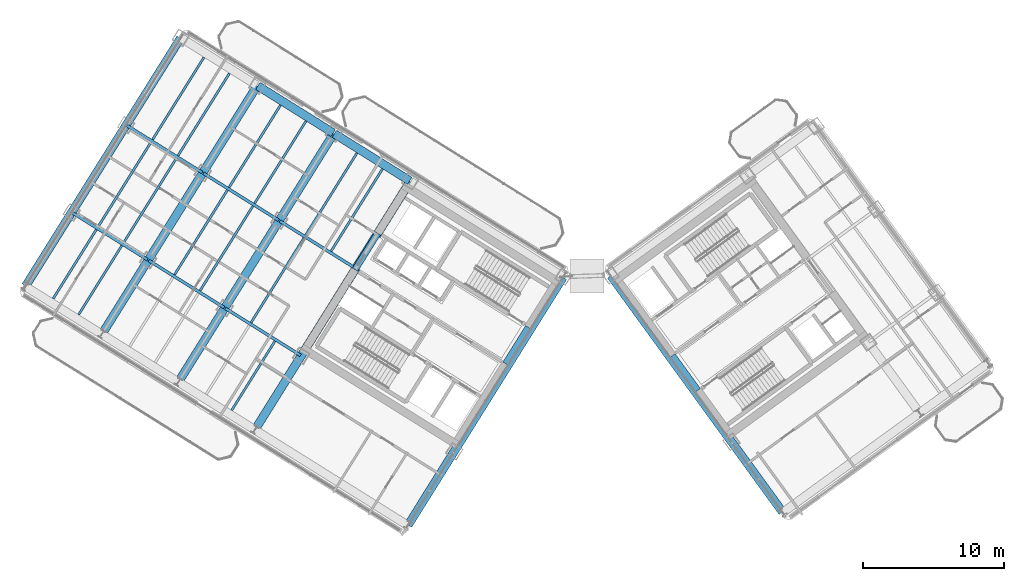
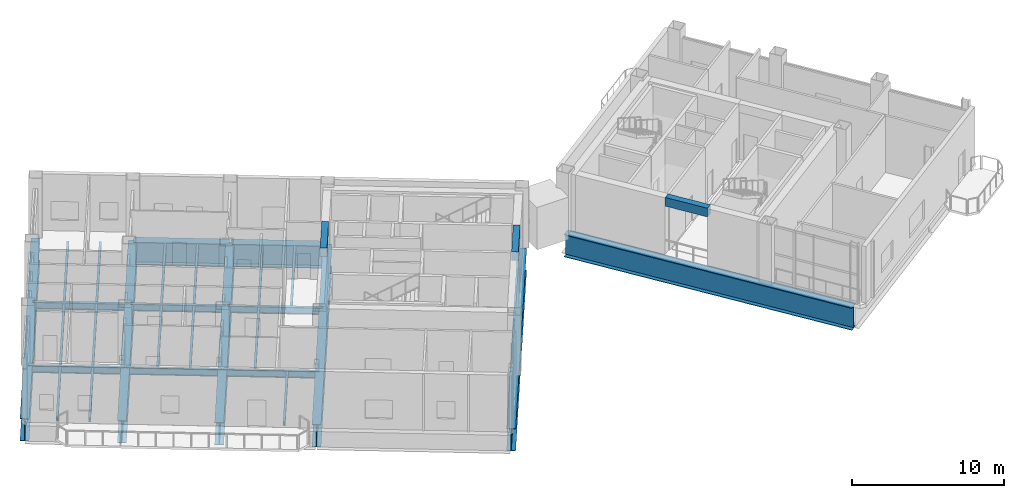
# One storey, part 7 of 22: 31 beams.
"""IFC4 building model written with IfcOpenShell, lengths in metres."""

from ifc_helpers import new_model, si_unit, direction, frame, origin, origin_2d, place, context, subcontext, project, spatial, rectangle, i_section, extrude, source, transform, mapped, material, material_profile, profile_set, type_object, element, save


model = new_model("IFC4")

# Units and contexts
model_context = context("Model", 3, precision=1e-05, world=origin(), true_north=direction((0.0, 1.0)))
body_context = subcontext(model_context, "Body", "Model", "MODEL_VIEW")
ifc_project = project(units=[si_unit("LENGTHUNIT", "METRE"), si_unit("AREAUNIT", "SQUARE_METRE"), si_unit("VOLUMEUNIT", "CUBIC_METRE"), si_unit("PLANEANGLEUNIT", "RADIAN"), si_unit("MASSUNIT", "GRAM", prefix="KILO")], contexts=[model_context])

# Site, building, storey
site_placement = place(None, origin())
site = spatial("IfcSite", under=ifc_project, at=site_placement, CompositionType="ELEMENT")
building_placement = place(site_placement, origin())
building = spatial("IfcBuilding", under=site, at=building_placement, Name="Tlacorven Tower", CompositionType="ELEMENT")
storey_placement = place(building_placement, frame((0.0, 0.0, 127.800048828125)))
storey = spatial("IfcBuildingStorey", under=building, at=storey_placement, Name="L32", CompositionType="ELEMENT", Elevation=127.800048828125)

# Beams
ifc_material_1 = material(Name="Concrete C60/75", Category="concrete")
ifc_material_profile_1 = material_profile(ifc_material_1, rectangle(XDim=0.449951171875, YDim=0.699951171875, at=origin_2d()), Name="RC 450X700")
ifc_profile_set_1 = profile_set([ifc_material_profile_1], Name="Concrete C60/75")
beam_type_1 = type_object("IfcBeamType", Name="BM-LNT-700", PredefinedType="LINTEL", material=ifc_profile_set_1)
shared_shape_1 = source(origin(), body_context, "Body", "SweptSolid", [
    extrude(rectangle(XDim=0.449951171875, YDim=0.699951171875, at=origin_2d()), origin(), (0.0, 0.0, 1.0), 3.050048828125),
])
for number, where, z_axis, x_axis, name in (
    (1, (38.2998046875, 20.890625, 4.199951171875), (-0.529984549635, -0.848007297815, 0.0), (0.848007297815, -0.529984549635, 0.0), "L32 W core coupling lintel beam E1"),
    (2, (50.318359375, 16.416015625, 4.199951171875), (-0.587776590479, 0.80902328748, 0.0), (-0.80902328748, -0.587776590479, 0.0), "L32 E core coupling lintel beam E1"),
):
    element("IfcBeam", number, at=place(storey_placement, frame(where, z_axis=z_axis, x_axis=x_axis)), inside=storey, type_object=beam_type_1, Name=name, PredefinedType="LINTEL", context=body_context, shape_type="MappedRepresentation", body=[
        mapped(shared_shape_1, transform((0.0, 0.0, 0.0), scale=1.0)),
    ])
shared_shape_2 = source(origin(), body_context, "Body", "SweptSolid", [
    extrude(rectangle(XDim=0.449951171875, YDim=0.699951171875, at=origin_2d()), origin(), (0.0, 0.0, 1.0), 3.0498046875),
])
beam_1_placement = place(storey_placement, frame((27.622802734375, 27.562255859375, 4.199951171875), z_axis=(-0.529926983584, -0.848043272522, 0.0), x_axis=(0.848043272522, -0.529926983584, 0.0)))
element("IfcBeam", 3, at=beam_1_placement, inside=storey, type_object=beam_type_1, Name="L32 W core coupling lintel beam E2", PredefinedType="LINTEL", context=body_context, shape_type="MappedRepresentation", body=[
    mapped(shared_shape_2, transform((0.0, 0.0, 0.0), scale=1.0)),
])
ifc_material_2 = material(Name="Steel S460M", Category="steel")
ifc_material_profile_2 = material_profile(ifc_material_2, i_section(OverallWidth=0.60009765625, OverallDepth=1.800048828125, WebThickness=0.028076171875, FlangeThickness=0.0400390625, at=origin_2d()), Name="PG 1800X600X28X40")
ifc_profile_set_2 = profile_set([ifc_material_profile_2], Name="Steel S460M")
beam_type_2 = type_object("IfcBeamType", Name="BM-TRG-1800", PredefinedType="USERDEFINED", material=ifc_profile_set_2)
shared_shape_3 = source(origin(), body_context, "Body", "SweptSolid", [
    extrude(i_section(OverallWidth=0.60009765625, OverallDepth=1.800048828125, WebThickness=0.028076171875, FlangeThickness=0.0400390625, at=origin_2d()), origin(), (0.0, 0.0, 1.0), 20.72021484375),
])
for number, where, z_axis, x_axis, name in (
    (4, (40.76171875, 24.4345703125, -1.179931640625), (-0.529916326015, -0.848049932152, 0.0), (0.848049932152, -0.529916326015, 0.0), "L32 beam BM-L32-WT1-1"),
    (5, (56.326171875, 7.789794921875, -1.179931640625), (-0.587784199495, 0.809017759276, 0.0), (-0.809017759276, -0.587784199495, 0.0), "L32 beam BM-L32-ET1-1"),
):
    element("IfcBeam", number, at=place(storey_placement, frame(where, z_axis=z_axis, x_axis=x_axis)), inside=storey, type_object=beam_type_2, Name=name, ObjectType="TRANSFER GIRDER", PredefinedType="USERDEFINED", context=body_context, shape_type="MappedRepresentation", body=[
        mapped(shared_shape_3, transform((0.0, 0.0, 0.0), scale=1.0)),
    ])
shared_shape_4 = source(origin(), body_context, "Body", "SweptSolid", [
    extrude(i_section(OverallWidth=0.60009765625, OverallDepth=1.800048828125, WebThickness=0.028076171875, FlangeThickness=0.0400390625, at=origin_2d()), origin(), (0.0, 0.0, 1.0), 20.719970703125),
])
for number, where, z_axis, x_axis, name in (
    (6, (29.90673828125, 31.217529296875, -1.179931640625), (-0.529921621162, -0.84804662338, 0.0), (0.84804662338, -0.529921621162, 0.0), "L32 beam BM-L32-WT3-1"),
    (7, (24.479248046875, 34.60888671875, -1.179931640625), (-0.529921621162, -0.84804662338, 0.0), (0.84804662338, -0.529921621162, 0.0), "L32 beam BM-L32-WT4-1"),
    (8, (19.0517578125, 38.00048828125, -1.179931640625), (-0.529921621162, -0.84804662338, 0.0), (0.84804662338, -0.529921621162, 0.0), "L32 beam BM-L32-WT5-1"),
    (9, (13.624267578125, 41.391845703125, -1.179931640625), (-0.529921621162, -0.84804662338, 0.0), (0.84804662338, -0.529921621162, 0.0), "L32 beam BM-L32-WT6-1"),
):
    element("IfcBeam", number, at=place(storey_placement, frame(where, z_axis=z_axis, x_axis=x_axis)), inside=storey, type_object=beam_type_2, Name=name, ObjectType="TRANSFER GIRDER", PredefinedType="USERDEFINED", context=body_context, shape_type="MappedRepresentation", body=[
        mapped(shared_shape_4, transform((0.0, 0.0, 0.0), scale=1.0)),
    ])
shared_shape_5 = source(origin(), body_context, "Body", "SweptSolid", [
    extrude(i_section(OverallWidth=0.60009765625, OverallDepth=1.800048828125, WebThickness=0.028076171875, FlangeThickness=0.0400390625, at=origin_2d()), origin(), (0.0, 0.0, 1.0), 6.300048828125),
])
for number, where, z_axis, x_axis, name in (
    (10, (29.885498046875, 31.27783203125, -1.179931640625), (-0.848041842361, 0.529929272267, 0.0), (-0.529929272267, -0.848041842361, 0.0), "L32 beam BM-L32-WL1-3"),
    (11, (24.4580078125, 34.66943359375, -1.179931640625), (-0.848059257352, 0.529901402168, 0.0), (-0.529901402168, -0.848059257352, 0.0), "L32 beam BM-L32-WL1-4"),
):
    element("IfcBeam", number, at=place(storey_placement, frame(where, z_axis=z_axis, x_axis=x_axis)), inside=storey, type_object=beam_type_2, Name=name, ObjectType="TRANSFER GIRDER", PredefinedType="USERDEFINED", context=body_context, shape_type="MappedRepresentation", body=[
        mapped(shared_shape_5, transform((0.0, 0.0, 0.0), scale=1.0)),
    ])
ifc_material_3 = material(Name="Steel S355J2", Category="steel")
ifc_material_profile_3 = material_profile(ifc_material_3, i_section(OverallWidth=0.159912109375, OverallDepth=0.330078125, WebThickness=0.007568359375, FlangeThickness=0.011474609375, at=origin_2d()), Name="IPE 330")
ifc_profile_set_3 = profile_set([ifc_material_profile_3], Name="Steel S355J2")
beam_type_3 = type_object("IfcBeamType", Name="BM-JST-330", PredefinedType="JOIST", material=ifc_profile_set_3)
shared_shape_6 = source(origin(), body_context, "Body", "SweptSolid", [
    extrude(i_section(OverallWidth=0.159912109375, OverallDepth=0.330078125, WebThickness=0.007568359375, FlangeThickness=0.011474609375, at=origin_2d()), origin(), (0.0, 0.0, 1.0), 7.080078125),
])
beam_2_placement = place(storey_placement, frame((18.7646484375, 29.4892578125, -0.445068359375), z_axis=(-0.529933847046, -0.848038983629, 0.0), x_axis=(0.848038983629, -0.529933847046, 0.0)))
element("IfcBeam", 12, at=beam_2_placement, inside=storey, type_object=beam_type_3, Name="L32 beam BM-L32-WJ4-2-1", PredefinedType="JOIST", context=body_context, shape_type="MappedRepresentation", body=[
    mapped(shared_shape_6, transform((0.0, 0.0, 0.0), scale=1.0)),
])
shared_shape_7 = source(origin(), body_context, "Body", "SweptSolid", [
    extrude(i_section(OverallWidth=0.159912109375, OverallDepth=0.330078125, WebThickness=0.007568359375, FlangeThickness=0.011474609375, at=origin_2d()), origin(), (0.0, 0.0, 1.0), 7.079833984375),
])
for number, where, z_axis, x_axis, name in (
    (13, (22.3828125, 27.228271484375, -0.445068359375), (-0.529909047265, -0.848054480341, 0.0), (0.848054480341, -0.529909047265, 0.0), "L32 beam BM-L32-WJ3-2-2"),
    (14, (16.955322265625, 30.619873046875, -0.445068359375), (-0.529909047265, -0.848054480341, 0.0), (0.848054480341, -0.529909047265, 0.0), "L32 beam BM-L32-WJ4-2-2"),
    (15, (11.52783203125, 34.01123046875, -0.445068359375), (-0.529909047265, -0.848054480341, 0.0), (0.848054480341, -0.529909047265, 0.0), "L32 beam BM-L32-WJ5-2-2"),
):
    element("IfcBeam", number, at=place(storey_placement, frame(where, z_axis=z_axis, x_axis=x_axis)), inside=storey, type_object=beam_type_3, Name=name, PredefinedType="JOIST", context=body_context, shape_type="MappedRepresentation", body=[
        mapped(shared_shape_7, transform((0.0, 0.0, 0.0), scale=1.0)),
    ])
ifc_material_profile_4 = material_profile(ifc_material_3, i_section(OverallWidth=0.2099609375, OverallDepth=0.550048828125, WebThickness=0.010986328125, FlangeThickness=0.01708984375, at=origin_2d()), Name="IPE 550")
ifc_profile_set_4 = profile_set([ifc_material_profile_4], Name="Steel S355J2")
beam_type_4 = type_object("IfcBeamType", Name="BM-TWR-550", PredefinedType="BEAM", material=ifc_profile_set_4)
shared_shape_8 = source(origin(), body_context, "Body", "SweptSolid", [
    extrude(i_section(OverallWidth=0.2099609375, OverallDepth=0.550048828125, WebThickness=0.010986328125, FlangeThickness=0.01708984375, at=origin_2d()), origin(), (0.0, 0.0, 1.0), 6.300048828125),
])
for number, where, z_axis, x_axis, name in (
    (16, (26.01708984375, 25.087158203125, -0.554931640625), (-0.848059257352, 0.529901402168, 0.0), (-0.529901402168, -0.848059257352, 0.0), "L32 beam BM-L32-WL2-3"),
    (17, (20.589599609375, 28.478515625, -0.554931640625), (-0.848041842361, 0.529929272267, 0.0), (-0.529929272267, -0.848041842361, 0.0), "L32 beam BM-L32-WL2-4"),
    (18, (15.162109375, 31.8701171875, -0.554931640625), (-0.848059257352, 0.529901402168, 0.0), (-0.529901402168, -0.848059257352, 0.0), "L32 beam BM-L32-WL2-5"),
    (19, (22.148681640625, 18.896240234375, -0.554931640625), (-0.848041842361, 0.529929272267, 0.0), (-0.529929272267, -0.848041842361, 0.0), "L32 beam BM-L32-WL3-3"),
    (20, (16.72119140625, 22.287841796875, -0.554931640625), (-0.848059257352, 0.529901402168, 0.0), (-0.529901402168, -0.848059257352, 0.0), "L32 beam BM-L32-WL3-4"),
    (21, (11.293701171875, 25.67919921875, -0.554931640625), (-0.848041842361, 0.529929272267, 0.0), (-0.529929272267, -0.848041842361, 0.0), "L32 beam BM-L32-WL3-5"),
):
    element("IfcBeam", number, at=place(storey_placement, frame(where, z_axis=z_axis, x_axis=x_axis)), inside=storey, type_object=beam_type_4, Name=name, PredefinedType="BEAM", context=body_context, shape_type="MappedRepresentation", body=[
        mapped(shared_shape_8, transform((0.0, 0.0, 0.0), scale=1.0)),
    ])
shared_shape_9 = source(origin(), body_context, "Body", "SweptSolid", [
    extrude(i_section(OverallWidth=0.159912109375, OverallDepth=0.330078125, WebThickness=0.007568359375, FlangeThickness=0.011474609375, at=origin_2d()), origin(), (0.0, 0.0, 1.0), 6.88525390625),
])
for number, where, z_axis, x_axis, name in (
    (22, (27.957275390625, 32.123291015625, -0.445068359375), (-0.529935191936, -0.848038143215, 0.0), (0.848038143215, -0.529935191936, 0.0), "L32 beam BM-L32-WJ3-1-1"),
    (23, (22.52978515625, 35.5146484375, -0.445068359375), (-0.529935191936, -0.848038143215, 0.0), (0.848038143215, -0.529935191936, 0.0), "L32 beam BM-L32-WJ4-1-1"),
):
    element("IfcBeam", number, at=place(storey_placement, frame(where, z_axis=z_axis, x_axis=x_axis)), inside=storey, type_object=beam_type_3, Name=name, PredefinedType="JOIST", context=body_context, shape_type="MappedRepresentation", body=[
        mapped(shared_shape_9, transform((0.0, 0.0, 0.0), scale=1.0)),
    ])
shared_shape_10 = source(origin(), body_context, "Body", "SweptSolid", [
    extrude(i_section(OverallWidth=0.159912109375, OverallDepth=0.330078125, WebThickness=0.007568359375, FlangeThickness=0.011474609375, at=origin_2d()), origin(), (0.0, 0.0, 1.0), 5.78515625),
])
for number, where, z_axis, x_axis, name in (
    (24, (20.32373046875, 19.906982421875, -0.445068359375), (-0.52992686326, -0.84804334771, 0.0), (0.84804334771, -0.52992686326, 0.0), "L32 beam BM-L32-WJ3-3-1"),
    (25, (9.46875, 26.68994140625, -0.445068359375), (-0.52992686326, -0.84804334771, 0.0), (0.84804334771, -0.52992686326, 0.0), "L32 beam BM-L32-WJ5-3-1"),
    (26, (7.659423828125, 27.820556640625, -0.445068359375), (-0.52992686326, -0.84804334771, 0.0), (0.84804334771, -0.52992686326, 0.0), "L32 beam BM-L32-WJ5-3-2"),
):
    element("IfcBeam", number, at=place(storey_placement, frame(where, z_axis=z_axis, x_axis=x_axis)), inside=storey, type_object=beam_type_3, Name=name, PredefinedType="JOIST", context=body_context, shape_type="MappedRepresentation", body=[
        mapped(shared_shape_10, transform((0.0, 0.0, 0.0), scale=1.0)),
    ])
shared_shape_11 = source(origin(), body_context, "Body", "SweptSolid", [
    extrude(i_section(OverallWidth=0.159912109375, OverallDepth=0.330078125, WebThickness=0.007568359375, FlangeThickness=0.011474609375, at=origin_2d()), origin(), (0.0, 0.0, 1.0), 6.885009765625),
])
for number, where, z_axis, x_axis, name in (
    (27, (26.14794921875, 33.253662109375, -0.445068359375), (-0.529909690194, -0.848054078605, 0.0), (0.848054078605, -0.529909690194, 0.0), "L32 beam BM-L32-WJ3-1-2"),
    (28, (20.720458984375, 36.645263671875, -0.445068359375), (-0.529909690194, -0.848054078605, 0.0), (0.848054078605, -0.529909690194, 0.0), "L32 beam BM-L32-WJ4-1-2"),
    (29, (17.10205078125, 38.90625, -0.445068359375), (-0.529909690194, -0.848054078605, 0.0), (0.848054078605, -0.529909690194, 0.0), "L32 beam BM-L32-WJ5-1-1"),
    (30, (15.29296875, 40.03662109375, -0.445068359375), (-0.529909690194, -0.848054078605, 0.0), (0.848054078605, -0.529909690194, 0.0), "L32 beam BM-L32-WJ5-1-2"),
):
    element("IfcBeam", number, at=place(storey_placement, frame(where, z_axis=z_axis, x_axis=x_axis)), inside=storey, type_object=beam_type_3, Name=name, PredefinedType="JOIST", context=body_context, shape_type="MappedRepresentation", body=[
        mapped(shared_shape_11, transform((0.0, 0.0, 0.0), scale=1.0)),
    ])
shared_shape_12 = source(origin(), body_context, "Body", "SweptSolid", [
    extrude(i_section(OverallWidth=0.159912109375, OverallDepth=0.330078125, WebThickness=0.007568359375, FlangeThickness=0.011474609375, at=origin_2d()), origin(), (0.0, 0.0, 1.0), 7.080322265625),
])
beam_3_placement = place(storey_placement, frame((13.337158203125, 32.880859375, -0.445068359375), z_axis=(-0.52991835062, -0.848048667045, 0.0), x_axis=(0.848048667045, -0.52991835062, 0.0)))
element("IfcBeam", 31, at=beam_3_placement, inside=storey, type_object=beam_type_3, Name="L32 beam BM-L32-WJ5-2-1", PredefinedType="JOIST", context=body_context, shape_type="MappedRepresentation", body=[
    mapped(shared_shape_12, transform((0.0, 0.0, 0.0), scale=1.0)),
])

save(model, "model.ifc")
